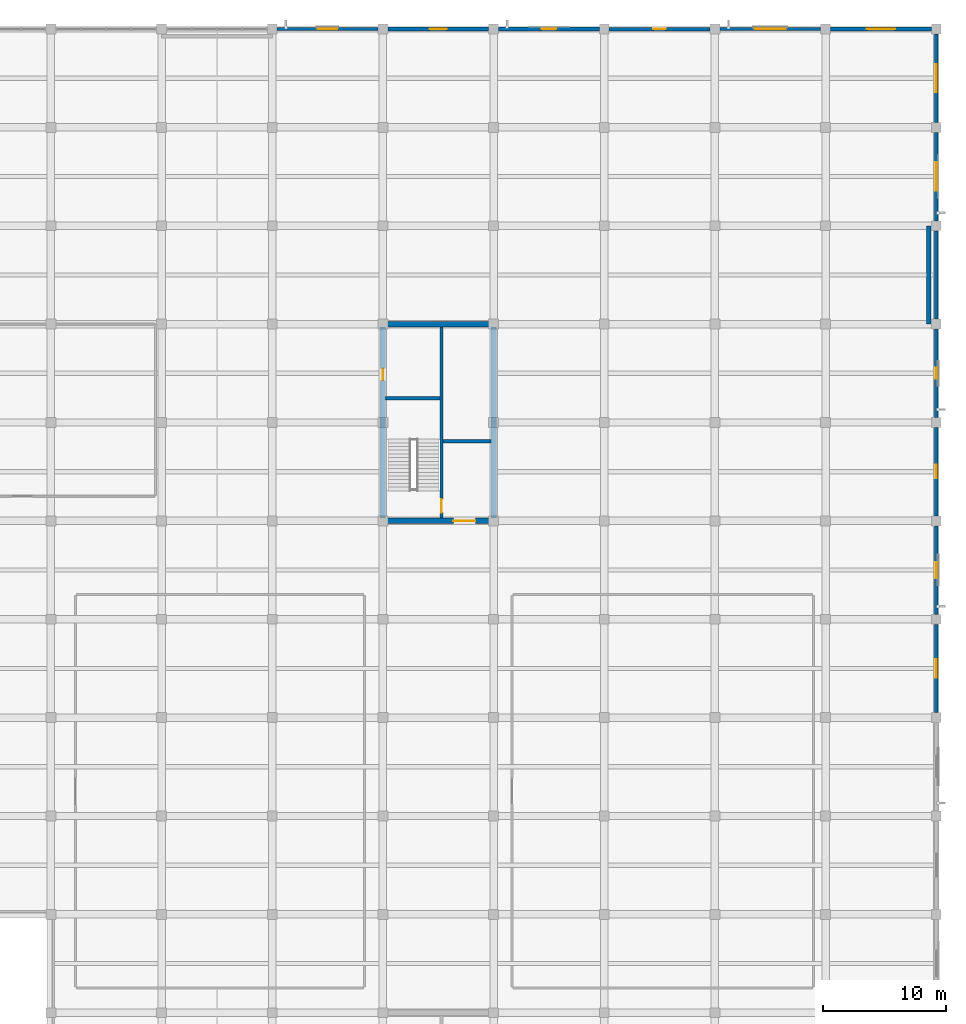
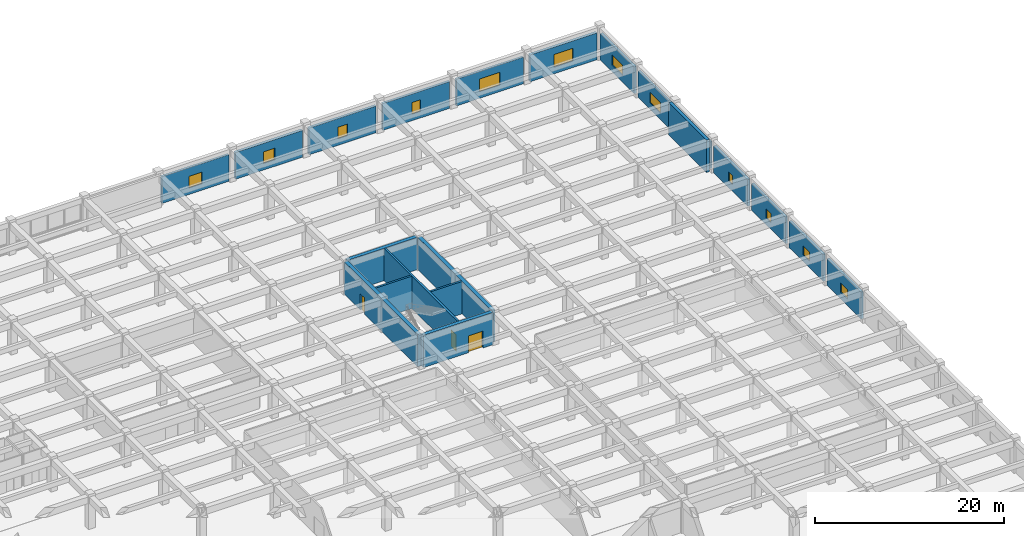
# One storey, part 34 of 50: 21 walls, 12 windows, 3 doors, 15 openings.
"""IFC4 building model written with IfcOpenShell, lengths in metres."""

from ifc_helpers import new_model, si_unit, direction, frame, frame_2d, origin, place, context, subcontext, project, spatial, rectangle, extrude, material, layer, layer_set, type_object, element, fill, save


model = new_model("IFC4")

# Units and contexts
model_context = context("Model", 3, precision=1e-05, world=origin(), true_north=direction((0.0, 1.0)))
body_context = subcontext(model_context, "Body", "Model", "MODEL_VIEW")
ifc_project = project(units=[si_unit("LENGTHUNIT", "METRE"), si_unit("AREAUNIT", "SQUARE_METRE"), si_unit("VOLUMEUNIT", "CUBIC_METRE"), si_unit("PLANEANGLEUNIT", "RADIAN"), si_unit("MASSUNIT", "GRAM", prefix="KILO")], contexts=[model_context])

# Site, building, storey
site_placement = place(None, origin())
site = spatial("IfcSite", under=ifc_project, at=site_placement, CompositionType="ELEMENT")
building_placement = place(site_placement, origin())
building = spatial("IfcBuilding", under=site, at=building_placement, Name="Zaverband Oceanarium and Marine Research Institute", CompositionType="ELEMENT")
storey_placement = place(building_placement, frame((0.0, 0.0, 4.5)))
storey = spatial("IfcBuildingStorey", under=building, at=storey_placement, Name="L01", CompositionType="ELEMENT", Elevation=4.5)

# Wall, opening, door
ifc_material_1 = material(Name="Concrete C50/60", Category="concrete")
ifc_layer_1 = layer(ifc_material_1, 0.449951171875, Name="Concrete C50/60")
ifc_layer_set_1 = layer_set([ifc_layer_1], Name="Concrete C50/60")
wall_type_1 = type_object("IfcWallType", Name="CW-02", PredefinedType="SHEAR", material=ifc_layer_set_1)
wall_1_placement = place(storey_placement, frame((135.22509765625, 80.0, 0.0), z_axis=(0.0, 0.0, 1.0), x_axis=(1.0, 0.0, 0.0)))
wall_1 = element("IfcWall", 1, at=wall_1_placement, inside=storey, type_object=wall_type_1, Name="Structural shear wall CW-02", PredefinedType="SHEAR", context=body_context, shape_type="SweptSolid", body=[
    extrude(rectangle(XDim=8.5498046875, YDim=0.449951171875, at=frame_2d((4.27490234375, 0.0))), origin(), (0.0, 0.0, 1.0), 4.179931640625),
])
opening_1_placement = place(wall_1_placement, frame((5.5, 0.0, 0.0)))
opening_1 = element("IfcOpeningElement", 2, at=opening_1_placement, cuts=wall_1, Name="Opening FD-02", PredefinedType="OPENING", context=body_context, shape_type="SweptSolid", body=[
    extrude(rectangle(XDim=1.800048828125, YDim=2.179931640625, at=frame_2d((0.89990234375, 1.08984375))), frame((0.0, 0.23681640625, 0.0), z_axis=(0.0, -1.0, 0.0), x_axis=(1.0, 0.0, 0.0)), (0.0, 0.0, 1.0), 0.473876953125),
])
ifc_material_2 = material(Name="Steel S355", Category="steel")
door_type_1 = type_object("IfcDoorType", Name="FD-02", OperationType="DOUBLE_DOOR_SINGLE_SWING", PredefinedType="DOOR", material=ifc_material_2)
door_1_placement = place(opening_1_placement, origin())
door_1 = element("IfcDoor", 3, at=door_1_placement, inside=storey, type_object=door_type_1, Name="Protected lobby double fire door FD-02", OperationType="DOUBLE_DOOR_SINGLE_SWING", OverallHeight=2.179931640625, OverallWidth=1.800048828125, PredefinedType="DOOR", context=body_context, shape_type="SweptSolid", body=[
    extrude(rectangle(XDim=1.800048828125, YDim=2.179931640625, at=frame_2d((0.89990234375, 1.08984375))), frame((0.0, 0.02490234375, 0.0), z_axis=(0.0, -1.0, 0.0), x_axis=(1.0, 0.0, 0.0)), (0.0, 0.0, 1.0), 0.050048828125),
])
fill(opening_1, door_1)

# Wall
wall_2_placement = place(storey_placement, frame((135.22509765625, 96.0, 0.0), z_axis=(0.0, 0.0, 1.0), x_axis=(1.0, 0.0, 0.0)))
element("IfcWall", 4, at=wall_2_placement, inside=storey, type_object=wall_type_1, Name="Structural shear wall CW-02", PredefinedType="SHEAR", context=body_context, shape_type="SweptSolid", body=[
    extrude(rectangle(XDim=8.5498046875, YDim=0.449951171875, at=frame_2d((4.27490234375, 0.0))), origin(), (0.0, 0.0, 1.0), 4.179931640625),
])

# Wall, opening, door
wall_3_placement = place(storey_placement, frame((135.0, 80.22509765625, 0.0), z_axis=(0.0, 0.0, 1.0), x_axis=(0.0, 1.0, 0.0)))
wall_3 = element("IfcWall", 5, at=wall_3_placement, inside=storey, type_object=wall_type_1, Name="Structural shear wall CW-02", PredefinedType="SHEAR", context=body_context, shape_type="SweptSolid", body=[
    extrude(rectangle(XDim=15.5498046875, YDim=0.449951171875, at=frame_2d((7.77490234375, 0.0))), origin(), (0.0, 0.0, 1.0), 4.179931640625),
])
opening_2_placement = place(wall_3_placement, frame((11.199951171875, 0.0, 0.0)))
opening_2 = element("IfcOpeningElement", 6, at=opening_2_placement, cuts=wall_3, Name="Opening FD-03", PredefinedType="OPENING", context=body_context, shape_type="SweptSolid", body=[
    extrude(rectangle(XDim=0.949951171875, YDim=2.10009765625, at=frame_2d((0.47509765625, 1.050048828125))), frame((0.0, 0.23681640625, 0.0), z_axis=(0.0, -1.0, 0.0), x_axis=(1.0, 0.0, 0.0)), (0.0, 0.0, 1.0), 0.473876953125),
])
door_type_2 = type_object("IfcDoorType", Name="FD-03", OperationType="NOTDEFINED", PredefinedType="DOOR", material=ifc_material_2)
door_2_placement = place(opening_2_placement, origin())
door_2 = element("IfcDoor", 7, at=door_2_placement, inside=storey, type_object=door_type_2, Name="Service riser access fire door FD-03", OperationType="SINGLE_SWING_RIGHT", OverallHeight=2.10009765625, OverallWidth=0.949951171875, PredefinedType="DOOR", context=body_context, shape_type="SweptSolid", body=[
    extrude(rectangle(XDim=0.949951171875, YDim=2.10009765625, at=frame_2d((0.47509765625, 1.050048828125))), frame((0.0, 0.02490234375, 0.0), z_axis=(0.0, -1.0, 0.0), x_axis=(1.0, 0.0, 0.0)), (0.0, 0.0, 1.0), 0.050048828125),
])
fill(opening_2, door_2)

# Wall
wall_4_placement = place(storey_placement, frame((144.0, 80.22509765625, 0.0), z_axis=(0.0, 0.0, 1.0), x_axis=(0.0, 1.0, 0.0)))
element("IfcWall", 8, at=wall_4_placement, inside=storey, type_object=wall_type_1, Name="Structural shear wall CW-02", PredefinedType="SHEAR", context=body_context, shape_type="SweptSolid", body=[
    extrude(rectangle(XDim=15.5498046875, YDim=0.449951171875, at=frame_2d((7.77490234375, 0.0))), origin(), (0.0, 0.0, 1.0), 4.179931640625),
])

# Wall, opening, window
ifc_material_3 = material(Name="Concrete C40/50 precast", Category="concrete")
ifc_layer_2 = layer(ifc_material_3, 0.264892578125, Name="Concrete C40/50 precast")
ifc_layer_set_2 = layer_set([ifc_layer_2], Name="Concrete C40/50 precast")
wall_type_2 = type_object("IfcWallType", Name="EW-265", PredefinedType="STANDARD", material=ifc_layer_set_2)
wall_5_placement = place(storey_placement, frame((126.405029296875, 120.0, 0.0), z_axis=(0.0, 0.0, 1.0), x_axis=(1.0, 0.0, 0.0)))
wall_5 = element("IfcWall", 9, at=wall_5_placement, inside=storey, type_object=wall_type_2, Name="Exterior infill wall EW-265", PredefinedType="STANDARD", context=body_context, shape_type="SweptSolid", body=[
    extrude(rectangle(XDim=8.18994140625, YDim=0.264892578125, at=frame_2d((4.094970703125, 0.0))), origin(), (0.0, 0.0, 1.0), 3.4599609375),
])
opening_3_placement = place(wall_5_placement, frame((3.294921875, 0.0, 0.85009765625)))
opening_3 = element("IfcOpeningElement", 10, at=opening_3_placement, cuts=wall_5, Name="Opening WN-1600x1500", PredefinedType="OPENING", context=body_context, shape_type="SweptSolid", body=[
    extrude(rectangle(XDim=1.60009765625, YDim=1.5, at=frame_2d((0.800048828125, 0.75))), frame((0.0, 0.14453125, 0.0), z_axis=(0.0, -1.0, 0.0), x_axis=(1.0, 0.0, 0.0)), (0.0, 0.0, 1.0), 0.288818359375),
])
ifc_material_4 = material(Name="Thermally broken anodized aluminium and solar-control glass", Category="aluminium")
window_type_1 = type_object("IfcWindowType", Name="WN-1600x1500", PartitioningType="SINGLE_PANEL", PredefinedType="WINDOW", material=ifc_material_4)
window_1_placement = place(opening_3_placement, origin())
window_1 = element("IfcWindow", 11, at=window_1_placement, inside=storey, type_object=window_type_1, Name="Fixed / casement exterior window WN-1600x1500", OverallHeight=1.5, OverallWidth=1.60009765625, PartitioningType="SINGLE_PANEL", PredefinedType="WINDOW", context=body_context, shape_type="SweptSolid", body=[
    extrude(rectangle(XDim=1.60009765625, YDim=1.5, at=frame_2d((0.800048828125, 0.75))), frame((0.0, 0.030029296875, 0.0), z_axis=(0.0, -1.0, 0.0), x_axis=(1.0, 0.0, 0.0)), (0.0, 0.0, 1.0), 0.06005859375),
])
fill(opening_3, window_1)

wall_6_placement = place(storey_placement, frame((162.405029296875, 120.0, 0.0), z_axis=(0.0, 0.0, 1.0), x_axis=(1.0, 0.0, 0.0)))
wall_6 = element("IfcWall", 12, at=wall_6_placement, inside=storey, type_object=wall_type_2, Name="Exterior infill wall EW-265", PredefinedType="STANDARD", context=body_context, shape_type="SweptSolid", body=[
    extrude(rectangle(XDim=8.18994140625, YDim=0.264892578125, at=frame_2d((4.094970703125, 0.0))), origin(), (0.0, 0.0, 1.0), 3.4599609375),
])
opening_4_placement = place(wall_6_placement, frame((2.844970703125, 0.0, 0.85009765625)))
opening_4 = element("IfcOpeningElement", 13, at=opening_4_placement, cuts=wall_6, Name="Opening WN-2500x1650", PredefinedType="OPENING", context=body_context, shape_type="SweptSolid", body=[
    extrude(rectangle(XDim=2.5, YDim=1.64990234375, at=frame_2d((1.25, 0.824951171875))), frame((0.0, 0.14453125, 0.0), z_axis=(0.0, -1.0, 0.0), x_axis=(1.0, 0.0, 0.0)), (0.0, 0.0, 1.0), 0.288818359375),
])
window_type_2 = type_object("IfcWindowType", Name="WN-2500x1650", PartitioningType="SINGLE_PANEL", PredefinedType="WINDOW", material=ifc_material_4)
window_2_placement = place(opening_4_placement, origin())
window_2 = element("IfcWindow", 14, at=window_2_placement, inside=storey, type_object=window_type_2, Name="Fixed / casement exterior window WN-2500x1650", OverallHeight=1.64990234375, OverallWidth=2.5, PartitioningType="SINGLE_PANEL", PredefinedType="WINDOW", context=body_context, shape_type="SweptSolid", body=[
    extrude(rectangle(XDim=2.5, YDim=1.64990234375, at=frame_2d((1.25, 0.824951171875))), frame((0.0, 0.030029296875, 0.0), z_axis=(0.0, -1.0, 0.0), x_axis=(1.0, 0.0, 0.0)), (0.0, 0.0, 1.0), 0.06005859375),
])
fill(opening_4, window_2)

wall_7_placement = place(storey_placement, frame((180.0, 80.405029296875, 0.0), z_axis=(0.0, 0.0, 1.0), x_axis=(0.0, 1.0, 0.0)))
wall_7 = element("IfcWall", 15, at=wall_7_placement, inside=storey, type_object=wall_type_2, Name="Exterior infill wall EW-265", PredefinedType="STANDARD", context=body_context, shape_type="SweptSolid", body=[
    extrude(rectangle(XDim=7.18994140625, YDim=0.264892578125, at=frame_2d((3.594970703125, 0.0))), origin(), (0.0, 0.0, 1.0), 3.4599609375),
])
opening_5_placement = place(wall_7_placement, frame((3.044921875, 0.0, 0.85009765625)))
opening_5 = element("IfcOpeningElement", 16, at=opening_5_placement, cuts=wall_7, Name="Opening WN-1100x1200", PredefinedType="OPENING", context=body_context, shape_type="SweptSolid", body=[
    extrude(rectangle(XDim=1.10009765625, YDim=1.199951171875, at=frame_2d((0.550048828125, 0.60009765625))), frame((0.0, 0.14453125, 0.0), z_axis=(0.0, -1.0, 0.0), x_axis=(1.0, 0.0, 0.0)), (0.0, 0.0, 1.0), 0.288818359375),
])
window_type_3 = type_object("IfcWindowType", Name="WN-1100x1200", PartitioningType="SINGLE_PANEL", PredefinedType="WINDOW", material=ifc_material_4)
window_3_placement = place(opening_5_placement, origin())
window_3 = element("IfcWindow", 17, at=window_3_placement, inside=storey, type_object=window_type_3, Name="Fixed / casement exterior window WN-1100x1200", OverallHeight=1.199951171875, OverallWidth=1.10009765625, PartitioningType="SINGLE_PANEL", PredefinedType="WINDOW", context=body_context, shape_type="SweptSolid", body=[
    extrude(rectangle(XDim=1.10009765625, YDim=1.199951171875, at=frame_2d((0.550048828125, 0.60009765625))), frame((0.0, 0.030029296875, 0.0), z_axis=(0.0, -1.0, 0.0), x_axis=(1.0, 0.0, 0.0)), (0.0, 0.0, 1.0), 0.06005859375),
])
fill(opening_5, window_3)

wall_8_placement = place(storey_placement, frame((180.0, 104.405029296875, 0.0), z_axis=(0.0, 0.0, 1.0), x_axis=(0.0, 1.0, 0.0)))
wall_8 = element("IfcWall", 18, at=wall_8_placement, inside=storey, type_object=wall_type_2, Name="Exterior infill wall EW-265", PredefinedType="STANDARD", context=body_context, shape_type="SweptSolid", body=[
    extrude(rectangle(XDim=7.18994140625, YDim=0.264892578125, at=frame_2d((3.594970703125, 0.0))), origin(), (0.0, 0.0, 1.0), 3.4599609375),
])
opening_6_placement = place(wall_8_placement, frame((2.445068359375, 0.0, 0.85009765625)))
opening_6 = element("IfcOpeningElement", 19, at=opening_6_placement, cuts=wall_8, Name="Opening WN-2300x1350", PredefinedType="OPENING", context=body_context, shape_type="SweptSolid", body=[
    extrude(rectangle(XDim=2.300048828125, YDim=1.35009765625, at=frame_2d((1.14990234375, 0.675048828125))), frame((0.0, 0.14453125, 0.0), z_axis=(0.0, -1.0, 0.0), x_axis=(1.0, 0.0, 0.0)), (0.0, 0.0, 1.0), 0.288818359375),
])
window_type_4 = type_object("IfcWindowType", Name="WN-2300x1350", PartitioningType="SINGLE_PANEL", PredefinedType="WINDOW", material=ifc_material_4)
window_4_placement = place(opening_6_placement, origin())
window_4 = element("IfcWindow", 20, at=window_4_placement, inside=storey, type_object=window_type_4, Name="Fixed / casement exterior window WN-2300x1350", OverallHeight=1.35009765625, OverallWidth=2.300048828125, PartitioningType="SINGLE_PANEL", PredefinedType="WINDOW", context=body_context, shape_type="SweptSolid", body=[
    extrude(rectangle(XDim=2.300048828125, YDim=1.35009765625, at=frame_2d((1.14990234375, 0.675048828125))), frame((0.0, 0.030029296875, 0.0), z_axis=(0.0, -1.0, 0.0), x_axis=(1.0, 0.0, 0.0)), (0.0, 0.0, 1.0), 0.06005859375),
])
fill(opening_6, window_4)

ifc_layer_3 = layer(ifc_material_3, 0.2900390625, Name="Concrete C40/50 precast")
ifc_layer_set_3 = layer_set([ifc_layer_3], Name="Concrete C40/50 precast")
wall_type_3 = type_object("IfcWallType", Name="EW-290", PredefinedType="STANDARD", material=ifc_layer_set_3)
wall_9_placement = place(storey_placement, frame((153.405029296875, 120.0, 0.0), z_axis=(0.0, 0.0, 1.0), x_axis=(1.0, 0.0, 0.0)))
wall_9 = element("IfcWall", 21, at=wall_9_placement, inside=storey, type_object=wall_type_3, Name="Exterior infill wall EW-290", PredefinedType="STANDARD", context=body_context, shape_type="SweptSolid", body=[
    extrude(rectangle(XDim=8.18994140625, YDim=0.2900390625, at=frame_2d((4.094970703125, 0.0))), origin(), (0.0, 0.0, 1.0), 3.4599609375),
])
opening_7_placement = place(wall_9_placement, frame((3.594970703125, 0.0, 0.85009765625)))
opening_7 = element("IfcOpeningElement", 22, at=opening_7_placement, cuts=wall_9, Name="Opening WN-1000x1500", PredefinedType="OPENING", context=body_context, shape_type="SweptSolid", body=[
    extrude(rectangle(XDim=1.0, YDim=1.5, at=frame_2d((0.5, 0.75))), frame((0.0, 0.156982421875, 0.0), z_axis=(0.0, -1.0, 0.0), x_axis=(1.0, 0.0, 0.0)), (0.0, 0.0, 1.0), 0.31396484375),
])
window_type_5 = type_object("IfcWindowType", Name="WN-1000x1500", PartitioningType="SINGLE_PANEL", PredefinedType="WINDOW", material=ifc_material_4)
window_5_placement = place(opening_7_placement, origin())
window_5 = element("IfcWindow", 23, at=window_5_placement, inside=storey, type_object=window_type_5, Name="Fixed / casement exterior window WN-1000x1500", OverallHeight=1.5, OverallWidth=1.0, PartitioningType="SINGLE_PANEL", PredefinedType="WINDOW", context=body_context, shape_type="SweptSolid", body=[
    extrude(rectangle(XDim=1.0, YDim=1.5, at=frame_2d((0.5, 0.75))), frame((0.0, 0.030029296875, 0.0), z_axis=(0.0, -1.0, 0.0), x_axis=(1.0, 0.0, 0.0)), (0.0, 0.0, 1.0), 0.06005859375),
])
fill(opening_7, window_5)

wall_10_placement = place(storey_placement, frame((180.0, 72.405029296875, 0.0), z_axis=(0.0, 0.0, 1.0), x_axis=(0.0, 1.0, 0.0)))
wall_10 = element("IfcWall", 24, at=wall_10_placement, inside=storey, type_object=wall_type_3, Name="Exterior infill wall EW-290", PredefinedType="STANDARD", context=body_context, shape_type="SweptSolid", body=[
    extrude(rectangle(XDim=7.18994140625, YDim=0.2900390625, at=frame_2d((3.594970703125, 0.0))), origin(), (0.0, 0.0, 1.0), 3.4599609375),
])
opening_8_placement = place(wall_10_placement, frame((2.945068359375, 0.0, 0.85009765625)))
opening_8 = element("IfcOpeningElement", 25, at=opening_8_placement, cuts=wall_10, Name="Opening WN-1300x1200", PredefinedType="OPENING", context=body_context, shape_type="SweptSolid", body=[
    extrude(rectangle(XDim=1.300048828125, YDim=1.199951171875, at=frame_2d((0.64990234375, 0.60009765625))), frame((0.0, 0.156982421875, 0.0), z_axis=(0.0, -1.0, 0.0), x_axis=(1.0, 0.0, 0.0)), (0.0, 0.0, 1.0), 0.31396484375),
])
window_type_6 = type_object("IfcWindowType", Name="WN-1300x1200", PartitioningType="SINGLE_PANEL", PredefinedType="WINDOW", material=ifc_material_4)
window_6_placement = place(opening_8_placement, origin())
window_6 = element("IfcWindow", 26, at=window_6_placement, inside=storey, type_object=window_type_6, Name="Fixed / casement exterior window WN-1300x1200", OverallHeight=1.199951171875, OverallWidth=1.300048828125, PartitioningType="SINGLE_PANEL", PredefinedType="WINDOW", context=body_context, shape_type="SweptSolid", body=[
    extrude(rectangle(XDim=1.300048828125, YDim=1.199951171875, at=frame_2d((0.64990234375, 0.60009765625))), frame((0.0, 0.030029296875, 0.0), z_axis=(0.0, -1.0, 0.0), x_axis=(1.0, 0.0, 0.0)), (0.0, 0.0, 1.0), 0.06005859375),
])
fill(opening_8, window_6)

# Wall
wall_11_placement = place(storey_placement, frame((180.0, 96.405029296875, 0.0), z_axis=(0.0, 0.0, 1.0), x_axis=(0.0, 1.0, 0.0)))
element("IfcWall", 27, at=wall_11_placement, inside=storey, type_object=wall_type_3, Name="Exterior infill wall EW-290", PredefinedType="STANDARD", context=body_context, shape_type="SweptSolid", body=[
    extrude(rectangle(XDim=7.18994140625, YDim=0.2900390625, at=frame_2d((3.594970703125, 0.0))), origin(), (0.0, 0.0, 1.0), 3.4599609375),
])

# Wall, opening, window
ifc_layer_4 = layer(ifc_material_3, 0.31005859375, Name="Concrete C40/50 precast")
ifc_layer_set_4 = layer_set([ifc_layer_4], Name="Concrete C40/50 precast")
wall_type_4 = type_object("IfcWallType", Name="EW-310", PredefinedType="STANDARD", material=ifc_layer_set_4)
wall_12_placement = place(storey_placement, frame((144.405029296875, 120.0, 0.0), z_axis=(0.0, 0.0, 1.0), x_axis=(1.0, 0.0, 0.0)))
wall_12 = element("IfcWall", 28, at=wall_12_placement, inside=storey, type_object=wall_type_4, Name="Exterior infill wall EW-310", PredefinedType="STANDARD", context=body_context, shape_type="SweptSolid", body=[
    extrude(rectangle(XDim=8.18994140625, YDim=0.31005859375, at=frame_2d((4.094970703125, 0.0))), origin(), (0.0, 0.0, 1.0), 3.4599609375),
])
opening_9_placement = place(wall_12_placement, frame((3.4951171875, 0.0, 0.85009765625)))
opening_9 = element("IfcOpeningElement", 29, at=opening_9_placement, cuts=wall_12, Name="Opening WN-1200x1500", PredefinedType="OPENING", context=body_context, shape_type="SweptSolid", body=[
    extrude(rectangle(XDim=1.199951171875, YDim=1.5, at=frame_2d((0.60009765625, 0.75))), frame((0.0, 0.1669921875, 0.0), z_axis=(0.0, -1.0, 0.0), x_axis=(1.0, 0.0, 0.0)), (0.0, 0.0, 1.0), 0.333984375),
])
window_type_7 = type_object("IfcWindowType", Name="WN-1200x1500", PartitioningType="SINGLE_PANEL", PredefinedType="WINDOW", material=ifc_material_4)
window_7_placement = place(opening_9_placement, origin())
window_7 = element("IfcWindow", 30, at=window_7_placement, inside=storey, type_object=window_type_7, Name="Fixed / casement exterior window WN-1200x1500", OverallHeight=1.5, OverallWidth=1.199951171875, PartitioningType="SINGLE_PANEL", PredefinedType="WINDOW", context=body_context, shape_type="SweptSolid", body=[
    extrude(rectangle(XDim=1.199951171875, YDim=1.5, at=frame_2d((0.60009765625, 0.75))), frame((0.0, 0.030029296875, 0.0), z_axis=(0.0, -1.0, 0.0), x_axis=(1.0, 0.0, 0.0)), (0.0, 0.0, 1.0), 0.06005859375),
])
fill(opening_9, window_7)

wall_13_placement = place(storey_placement, frame((180.0, 64.405029296875, 0.0), z_axis=(0.0, 0.0, 1.0), x_axis=(0.0, 1.0, 0.0)))
wall_13 = element("IfcWall", 31, at=wall_13_placement, inside=storey, type_object=wall_type_4, Name="Exterior infill wall EW-310", PredefinedType="STANDARD", context=body_context, shape_type="SweptSolid", body=[
    extrude(rectangle(XDim=7.18994140625, YDim=0.31005859375, at=frame_2d((3.594970703125, 0.0))), origin(), (0.0, 0.0, 1.0), 3.4599609375),
])
opening_10_placement = place(wall_13_placement, frame((2.844970703125, 0.0, 0.85009765625)))
opening_10 = element("IfcOpeningElement", 32, at=opening_10_placement, cuts=wall_13, Name="Opening WN-1500x1200", PredefinedType="OPENING", context=body_context, shape_type="SweptSolid", body=[
    extrude(rectangle(XDim=1.5, YDim=1.199951171875, at=frame_2d((0.75, 0.60009765625))), frame((0.0, 0.1669921875, 0.0), z_axis=(0.0, -1.0, 0.0), x_axis=(1.0, 0.0, 0.0)), (0.0, 0.0, 1.0), 0.333984375),
])
window_type_8 = type_object("IfcWindowType", Name="WN-1500x1200", PartitioningType="SINGLE_PANEL", PredefinedType="WINDOW", material=ifc_material_4)
window_8_placement = place(opening_10_placement, origin())
window_8 = element("IfcWindow", 33, at=window_8_placement, inside=storey, type_object=window_type_8, Name="Fixed / casement exterior window WN-1500x1200", OverallHeight=1.199951171875, OverallWidth=1.5, PartitioningType="SINGLE_PANEL", PredefinedType="WINDOW", context=body_context, shape_type="SweptSolid", body=[
    extrude(rectangle(XDim=1.5, YDim=1.199951171875, at=frame_2d((0.75, 0.60009765625))), frame((0.0, 0.030029296875, 0.0), z_axis=(0.0, -1.0, 0.0), x_axis=(1.0, 0.0, 0.0)), (0.0, 0.0, 1.0), 0.06005859375),
])
fill(opening_10, window_8)

wall_14_placement = place(storey_placement, frame((180.0, 88.405029296875, 0.0), z_axis=(0.0, 0.0, 1.0), x_axis=(0.0, 1.0, 0.0)))
wall_14 = element("IfcWall", 34, at=wall_14_placement, inside=storey, type_object=wall_type_4, Name="Exterior infill wall EW-310", PredefinedType="STANDARD", context=body_context, shape_type="SweptSolid", body=[
    extrude(rectangle(XDim=7.18994140625, YDim=0.31005859375, at=frame_2d((3.594970703125, 0.0))), origin(), (0.0, 0.0, 1.0), 3.4599609375),
])
opening_11_placement = place(wall_14_placement, frame((3.14501953125, 0.0, 0.85009765625)))
opening_11 = element("IfcOpeningElement", 35, at=opening_11_placement, cuts=wall_14, Name="Opening WN-900x1200", PredefinedType="OPENING", context=body_context, shape_type="SweptSolid", body=[
    extrude(rectangle(XDim=0.89990234375, YDim=1.199951171875, at=frame_2d((0.449951171875, 0.60009765625))), frame((0.0, 0.1669921875, 0.0), z_axis=(0.0, -1.0, 0.0), x_axis=(1.0, 0.0, 0.0)), (0.0, 0.0, 1.0), 0.333984375),
])
window_type_9 = type_object("IfcWindowType", Name="WN-900x1200", PartitioningType="SINGLE_PANEL", PredefinedType="WINDOW", material=ifc_material_4)
window_9_placement = place(opening_11_placement, origin())
window_9 = element("IfcWindow", 36, at=window_9_placement, inside=storey, type_object=window_type_9, Name="Fixed / casement exterior window WN-900x1200", OverallHeight=1.199951171875, OverallWidth=0.89990234375, PartitioningType="SINGLE_PANEL", PredefinedType="WINDOW", context=body_context, shape_type="SweptSolid", body=[
    extrude(rectangle(XDim=0.89990234375, YDim=1.199951171875, at=frame_2d((0.449951171875, 0.60009765625))), frame((0.0, 0.030029296875, 0.0), z_axis=(0.0, -1.0, 0.0), x_axis=(1.0, 0.0, 0.0)), (0.0, 0.0, 1.0), 0.06005859375),
])
fill(opening_11, window_9)

wall_15_placement = place(storey_placement, frame((180.0, 112.405029296875, 0.0), z_axis=(0.0, 0.0, 1.0), x_axis=(0.0, 1.0, 0.0)))
wall_15 = element("IfcWall", 37, at=wall_15_placement, inside=storey, type_object=wall_type_4, Name="Exterior infill wall EW-310", PredefinedType="STANDARD", context=body_context, shape_type="SweptSolid", body=[
    extrude(rectangle(XDim=7.18994140625, YDim=0.31005859375, at=frame_2d((3.594970703125, 0.0))), origin(), (0.0, 0.0, 1.0), 3.4599609375),
])
opening_12_placement = place(wall_15_placement, frame((2.445068359375, 0.0, 0.85009765625)))
opening_12 = element("IfcOpeningElement", 38, at=opening_12_placement, cuts=wall_15, Name="Opening WN-2300x1350", PredefinedType="OPENING", context=body_context, shape_type="SweptSolid", body=[
    extrude(rectangle(XDim=2.300048828125, YDim=1.35009765625, at=frame_2d((1.14990234375, 0.675048828125))), frame((0.0, 0.1669921875, 0.0), z_axis=(0.0, -1.0, 0.0), x_axis=(1.0, 0.0, 0.0)), (0.0, 0.0, 1.0), 0.333984375),
])
window_10_placement = place(opening_12_placement, origin())
window_10 = element("IfcWindow", 39, at=window_10_placement, inside=storey, type_object=window_type_4, Name="Fixed / casement exterior window WN-2300x1350", OverallHeight=1.35009765625, OverallWidth=2.300048828125, PartitioningType="SINGLE_PANEL", PredefinedType="WINDOW", context=body_context, shape_type="SweptSolid", body=[
    extrude(rectangle(XDim=2.300048828125, YDim=1.35009765625, at=frame_2d((1.14990234375, 0.675048828125))), frame((0.0, 0.030029296875, 0.0), z_axis=(0.0, -1.0, 0.0), x_axis=(1.0, 0.0, 0.0)), (0.0, 0.0, 1.0), 0.06005859375),
])
fill(opening_12, window_10)

ifc_layer_5 = layer(ifc_material_3, 0.340087890625, Name="Concrete C40/50 precast")
ifc_layer_set_5 = layer_set([ifc_layer_5], Name="Concrete C40/50 precast")
wall_type_5 = type_object("IfcWallType", Name="EW-340", PredefinedType="STANDARD", material=ifc_layer_set_5)
wall_16_placement = place(storey_placement, frame((135.405029296875, 120.0, 0.0), z_axis=(0.0, 0.0, 1.0), x_axis=(1.0, 0.0, 0.0)))
wall_16 = element("IfcWall", 40, at=wall_16_placement, inside=storey, type_object=wall_type_5, Name="Exterior infill wall EW-340", PredefinedType="STANDARD", context=body_context, shape_type="SweptSolid", body=[
    extrude(rectangle(XDim=8.18994140625, YDim=0.340087890625, at=frame_2d((4.094970703125, 0.0))), origin(), (0.0, 0.0, 1.0), 3.4599609375),
])
opening_13_placement = place(wall_16_placement, frame((3.39501953125, 0.0, 0.85009765625)))
opening_13 = element("IfcOpeningElement", 41, at=opening_13_placement, cuts=wall_16, Name="Opening WN-1400x1500", PredefinedType="OPENING", context=body_context, shape_type="SweptSolid", body=[
    extrude(rectangle(XDim=1.39990234375, YDim=1.5, at=frame_2d((0.699951171875, 0.75))), frame((0.0, 0.18212890625, 0.0), z_axis=(0.0, -1.0, 0.0), x_axis=(1.0, 0.0, 0.0)), (0.0, 0.0, 1.0), 0.364013671875),
])
window_type_10 = type_object("IfcWindowType", Name="WN-1400x1500", PartitioningType="SINGLE_PANEL", PredefinedType="WINDOW", material=ifc_material_4)
window_11_placement = place(opening_13_placement, origin())
window_11 = element("IfcWindow", 42, at=window_11_placement, inside=storey, type_object=window_type_10, Name="Fixed / casement exterior window WN-1400x1500", OverallHeight=1.5, OverallWidth=1.39990234375, PartitioningType="SINGLE_PANEL", PredefinedType="WINDOW", context=body_context, shape_type="SweptSolid", body=[
    extrude(rectangle(XDim=1.39990234375, YDim=1.5, at=frame_2d((0.699951171875, 0.75))), frame((0.0, 0.030029296875, 0.0), z_axis=(0.0, -1.0, 0.0), x_axis=(1.0, 0.0, 0.0)), (0.0, 0.0, 1.0), 0.06005859375),
])
fill(opening_13, window_11)

wall_17_placement = place(storey_placement, frame((171.405029296875, 120.0, 0.0), z_axis=(0.0, 0.0, 1.0), x_axis=(1.0, 0.0, 0.0)))
wall_17 = element("IfcWall", 43, at=wall_17_placement, inside=storey, type_object=wall_type_5, Name="Exterior infill wall EW-340", PredefinedType="STANDARD", context=body_context, shape_type="SweptSolid", body=[
    extrude(rectangle(XDim=8.18994140625, YDim=0.340087890625, at=frame_2d((4.094970703125, 0.0))), origin(), (0.0, 0.0, 1.0), 3.4599609375),
])
opening_14_placement = place(wall_17_placement, frame((2.945068359375, 0.0, 0.85009765625)))
opening_14 = element("IfcOpeningElement", 44, at=opening_14_placement, cuts=wall_17, Name="Opening WN-2300x1650", PredefinedType="OPENING", context=body_context, shape_type="SweptSolid", body=[
    extrude(rectangle(XDim=2.300048828125, YDim=1.64990234375, at=frame_2d((1.14990234375, 0.824951171875))), frame((0.0, 0.18212890625, 0.0), z_axis=(0.0, -1.0, 0.0), x_axis=(1.0, 0.0, 0.0)), (0.0, 0.0, 1.0), 0.364013671875),
])
window_type_11 = type_object("IfcWindowType", Name="WN-2300x1650", PartitioningType="SINGLE_PANEL", PredefinedType="WINDOW", material=ifc_material_4)
window_12_placement = place(opening_14_placement, origin())
window_12 = element("IfcWindow", 45, at=window_12_placement, inside=storey, type_object=window_type_11, Name="Fixed / casement exterior window WN-2300x1650", OverallHeight=1.64990234375, OverallWidth=2.300048828125, PartitioningType="SINGLE_PANEL", PredefinedType="WINDOW", context=body_context, shape_type="SweptSolid", body=[
    extrude(rectangle(XDim=2.300048828125, YDim=1.64990234375, at=frame_2d((1.14990234375, 0.824951171875))), frame((0.0, 0.030029296875, 0.0), z_axis=(0.0, -1.0, 0.0), x_axis=(1.0, 0.0, 0.0)), (0.0, 0.0, 1.0), 0.06005859375),
])
fill(opening_14, window_12)

# Wall, opening, door
ifc_layer_6 = layer(ifc_material_1, 0.25, Name="Concrete C50/60")
ifc_layer_set_6 = layer_set([ifc_layer_6], Name="Concrete C50/60")
wall_type_6 = type_object("IfcWallType", Name="PW-CORE-250", PredefinedType="SOLIDWALL", material=ifc_layer_set_6)
wall_18_placement = place(storey_placement, frame((139.77490234375, 80.22509765625, 0.0), z_axis=(0.0, 0.0, 1.0), x_axis=(0.0, 1.0, 0.0)))
wall_18 = element("IfcWall", 46, at=wall_18_placement, inside=storey, type_object=wall_type_6, Name="Structural concrete wall PW-CORE-250", PredefinedType="SOLIDWALL", context=body_context, shape_type="SweptSolid", body=[
    extrude(rectangle(XDim=15.5498046875, YDim=0.25, at=frame_2d((7.77490234375, 0.0))), origin(), (0.0, 0.0, 1.0), 4.179931640625),
])
opening_15_placement = place(wall_18_placement, frame((0.449951171875, 0.0, 0.0)))
opening_15 = element("IfcOpeningElement", 47, at=opening_15_placement, cuts=wall_18, Name="Opening FD-01", PredefinedType="OPENING", context=body_context, shape_type="SweptSolid", body=[
    extrude(rectangle(XDim=1.10009765625, YDim=2.14990234375, at=frame_2d((0.550048828125, 1.074951171875))), frame((0.0, 0.136962890625, 0.0), z_axis=(0.0, -1.0, 0.0), x_axis=(1.0, 0.0, 0.0)), (0.0, 0.0, 1.0), 0.27392578125),
])
door_type_3 = type_object("IfcDoorType", Name="FD-01", OperationType="NOTDEFINED", PredefinedType="DOOR", material=ifc_material_2)
door_3_placement = place(opening_15_placement, origin())
door_3 = element("IfcDoor", 48, at=door_3_placement, inside=storey, type_object=door_type_3, Name="Core stair / lobby fire door FD-01", OperationType="SINGLE_SWING_RIGHT", OverallHeight=2.14990234375, OverallWidth=1.10009765625, PredefinedType="DOOR", context=body_context, shape_type="SweptSolid", body=[
    extrude(rectangle(XDim=1.10009765625, YDim=2.14990234375, at=frame_2d((0.550048828125, 1.074951171875))), frame((0.0, 0.02490234375, 0.0), z_axis=(0.0, -1.0, 0.0), x_axis=(1.0, 0.0, 0.0)), (0.0, 0.0, 1.0), 0.050048828125),
])
fill(opening_15, door_3)

# Walls
wall_19_placement = place(storey_placement, frame((135.22509765625, 89.97509765625, 0.0), z_axis=(0.0, 0.0, 1.0), x_axis=(1.0, 0.0, 0.0)))
element("IfcWall", 49, at=wall_19_placement, inside=storey, type_object=wall_type_6, Name="Structural concrete wall PW-CORE-250", PredefinedType="SOLIDWALL", context=body_context, shape_type="SweptSolid", body=[
    extrude(rectangle(XDim=4.419921875, YDim=0.25, at=frame_2d((2.2099609375, 0.0))), origin(), (0.0, 0.0, 1.0), 4.179931640625),
])
wall_20_placement = place(storey_placement, frame((139.905029296875, 86.47509765625, 0.0), z_axis=(0.0, 0.0, 1.0), x_axis=(1.0, 0.0, 0.0)))
element("IfcWall", 50, at=wall_20_placement, inside=storey, type_object=wall_type_6, Name="Structural concrete wall PW-CORE-250", PredefinedType="SOLIDWALL", context=body_context, shape_type="SweptSolid", body=[
    extrude(rectangle(XDim=3.869873046875, YDim=0.25, at=frame_2d((1.93505859375, 0.0))), origin(), (0.0, 0.0, 1.0), 4.179931640625),
])
ifc_layer_7 = layer(ifc_material_1, 0.3798828125, Name="Concrete C50/60")
ifc_layer_set_7 = layer_set([ifc_layer_7], Name="Concrete C50/60")
wall_type_7 = type_object("IfcWallType", Name="SW-02", PredefinedType="SHEAR", material=ifc_layer_set_7)
wall_21_placement = place(storey_placement, frame((179.39990234375, 96.0, 0.0), z_axis=(0.0, 0.0, 1.0), x_axis=(0.0, 1.0, 0.0)))
element("IfcWall", 51, at=wall_21_placement, inside=storey, type_object=wall_type_7, Name="Structural shear wall SW-02", PredefinedType="SHEAR", context=body_context, shape_type="SweptSolid", body=[
    extrude(rectangle(XDim=8.0, YDim=0.3798828125, at=frame_2d((4.0, 0.0))), origin(), (0.0, 0.0, 1.0), 4.179931640625),
])

save(model, "model.ifc")
